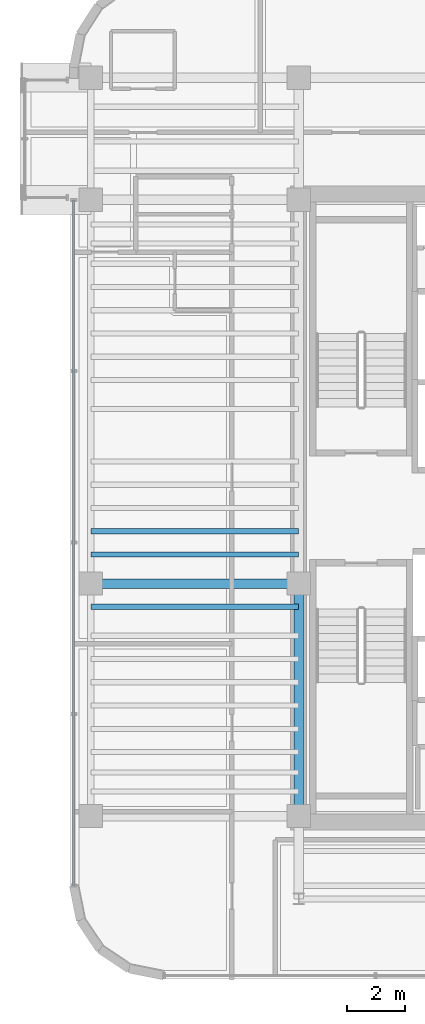
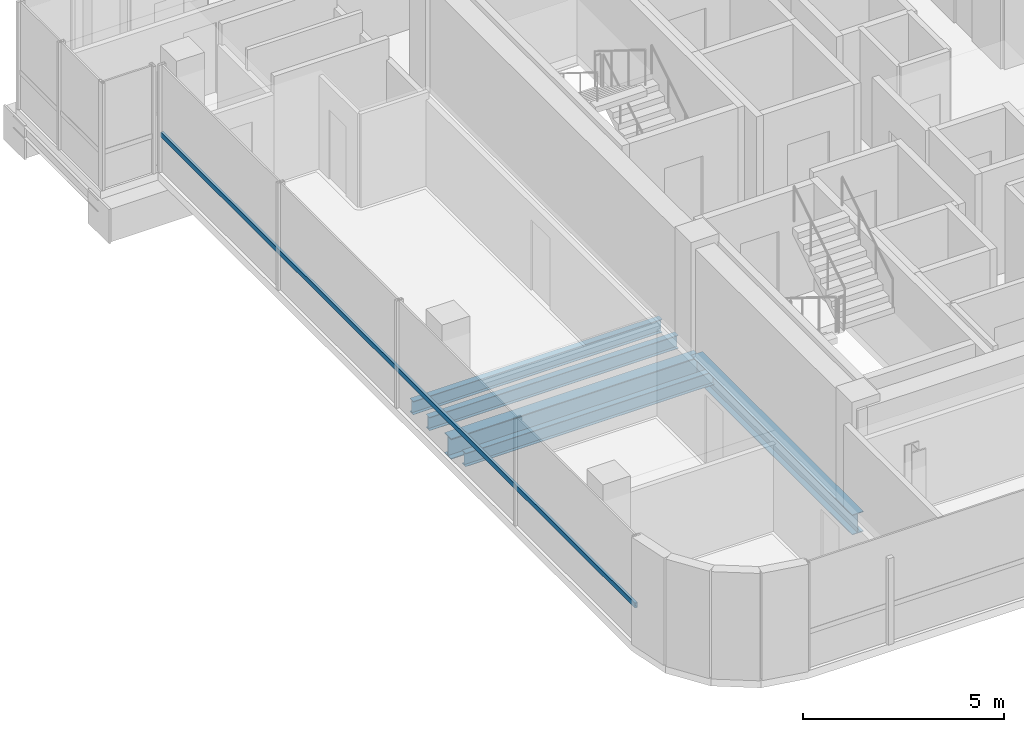
# One storey, part 5 of 20: 5 beams, 1 member, 1 element without a shape of its own.
"""IFC4 building model written with IfcOpenShell, lengths in metres."""

import ifcopenshell
import ifcopenshell.guid

model = None  # the IFC model being written
_history = None  # IfcOwnerHistory: only IFC2X3 demands one
_inside = {}  # id of a spatial element -> (the spatial element, [elements in it])
_under = {}  # id of a project, library or spatial element -> (it, [spatial elements below it])
_declared = {}  # id of a project -> (the project, [libraries it declares])
_typed = {}  # id of a type object -> (the type object, [elements of that type])
_made_of = {}  # id of a material, layer set ... -> (it, [elements and type objects made of it])


def new_model(schema):
    """Start an empty IFC model of exactly this schema.

    Asked for "IFC4X3", IfcOpenShell would pick the latest addendum, in which some entities
    have other attributes; the version numbers below select the first issue.
    IFC2X3 requires an IfcOwnerHistory on every rooted entity: one is made here for all.
    """
    global model, _history
    if schema == "IFC4X3":
        model = ifcopenshell.file(schema_version=(4, 3, 0, 0))
    else:
        model = ifcopenshell.file(schema=schema)
    _inside.clear()
    _under.clear()
    _declared.clear()
    _typed.clear()
    _made_of.clear()
    _history = None
    if model.schema == "IFC2X3":
        org = make("IfcOrganization", Name="unknown")
        user = make(
            "IfcPersonAndOrganization",
            ThePerson=make("IfcPerson", FamilyName="unknown"),
            TheOrganization=org,
        )
        app = make(
            "IfcApplication",
            ApplicationDeveloper=org,
            Version="unknown",
            ApplicationFullName="unknown",
            ApplicationIdentifier="unknown",
        )
        _history = make(
            "IfcOwnerHistory",
            OwningUser=user,
            OwningApplication=app,
            ChangeAction="ADDED",
            CreationDate=0,
        )
    return model


def make(cls, **values):
    """One entity of the class cls with the attributes given. An attribute that is None is left unset."""
    return model.create_entity(
        cls, **{name: value for name, value in values.items() if value is not None}
    )


def rooted(cls, **values):
    """An entity with a GlobalId (a new one), such as an element, a storey or a relation."""
    return make(cls, GlobalId=ifcopenshell.guid.new(), OwnerHistory=_history, **values)


def si_unit(unit_type, name, prefix=None):
    """IfcSIUnit, for example si_unit("LENGTHUNIT", "METRE", prefix="MILLI")."""
    return make("IfcSIUnit", UnitType=unit_type, Prefix=prefix, Name=name)


def assignment(units):
    """IfcUnitAssignment: the units of a project."""
    return None if units is None else make("IfcUnitAssignment", Units=units)


def point(xyz):
    """IfcCartesianPoint."""
    return None if xyz is None else make("IfcCartesianPoint", Coordinates=xyz)


def direction(xyz):
    """IfcDirection."""
    return None if xyz is None else make("IfcDirection", DirectionRatios=xyz)


def frame(location, z_axis=None, x_axis=None):
    """IfcAxis2Placement3D, a coordinate frame: its origin and axes. An axis left out is left unset."""
    return make(
        "IfcAxis2Placement3D",
        Location=point(location),
        Axis=direction(z_axis),
        RefDirection=direction(x_axis),
    )


def frame_2d(location, x_axis=None):
    """IfcAxis2Placement2D, a coordinate frame in the plane: its origin and x axis."""
    return make(
        "IfcAxis2Placement2D", Location=point(location), RefDirection=direction(x_axis)
    )


def origin():
    """The frame at (0, 0, 0) with its axes left unset."""
    return frame((0.0, 0.0, 0.0))


def origin_2d():
    """The frame at (0, 0) in the plane with its x axis left unset."""
    return frame_2d((0.0, 0.0))


def place(relative_to, where):
    """IfcLocalPlacement: puts the frame where relative to a parent placement (None: the world)."""
    return make(
        "IfcLocalPlacement", PlacementRelTo=relative_to, RelativePlacement=where
    )


def context(
    kind, dimensions, precision=None, world=None, true_north=None, identifier=None
):
    """IfcGeometricRepresentationContext, for example the 3D "Model" context."""
    return make(
        "IfcGeometricRepresentationContext",
        ContextIdentifier=identifier,
        ContextType=kind,
        CoordinateSpaceDimension=dimensions,
        Precision=precision,
        WorldCoordinateSystem=world,
        TrueNorth=true_north,
    )


def subcontext(parent, identifier, kind, view, scale=None):
    """IfcGeometricRepresentationSubContext, for example "Body" below "Model"."""
    return make(
        "IfcGeometricRepresentationSubContext",
        ContextIdentifier=identifier,
        ContextType=kind,
        ParentContext=parent,
        TargetScale=scale,
        TargetView=view,
    )


def project(units=None, contexts=None):
    """IfcProject with its units and contexts."""
    return rooted(
        "IfcProject",
        Name="project",
        RepresentationContexts=contexts,
        UnitsInContext=assignment(units),
    )


def spatial(cls, under=None, at=None, **own):
    """A site, building, storey or space (cls), placed at a placement, below another one or the project."""
    s = rooted(cls, ObjectPlacement=at, **own)
    if under is not None:
        _under.setdefault(under.id(), (under, []))[1].append(s)
    return s


def profile(cls, at=None, kind="AREA", **sizes):
    """A parametric profile (cls). Its sizes go by their IFC names, for example OverallWidth=200.0."""
    return make(cls, ProfileType=kind, Position=at, **sizes)


def hollow_rectangle(**sizes):
    """IfcRectangleHollowProfileDef."""
    return profile("IfcRectangleHollowProfileDef", **sizes)


def i_section(**sizes):
    """IfcIShapeProfileDef."""
    return profile("IfcIShapeProfileDef", **sizes)


def extrude(swept, where, along, depth):
    """IfcExtrudedAreaSolid: the profile swept, set in the frame where, extruded along a direction by depth."""
    return make(
        "IfcExtrudedAreaSolid",
        SweptArea=swept,
        Position=where,
        ExtrudedDirection=direction(along),
        Depth=depth,
    )


def shape(context_of_items, identifier, shape_type, items):
    """IfcShapeRepresentation: the items that make up one representation, for example the "Body"."""
    return make(
        "IfcShapeRepresentation",
        ContextOfItems=context_of_items,
        RepresentationIdentifier=identifier,
        RepresentationType=shape_type,
        Items=items,
    )


def source(mapping_origin, context_of_items, identifier, shape_type, items):
    """IfcRepresentationMap: a shape defined once, which mapped items show again and again."""
    return make(
        "IfcRepresentationMap",
        MappingOrigin=mapping_origin,
        MappedRepresentation=shape(context_of_items, identifier, shape_type, items),
    )


def transform(
    local_origin,
    x_axis=None,
    y_axis=None,
    z_axis=None,
    scale=None,
    scale2=None,
    scale3=None,
    uniform=True,
):
    """IfcCartesianTransformationOperator3D, or its non-uniform kind. x_axis, y_axis, z_axis: its Axis1, 2, 3."""
    if uniform:
        return make(
            "IfcCartesianTransformationOperator3D",
            Axis1=direction(x_axis),
            Axis2=direction(y_axis),
            LocalOrigin=point(local_origin),
            Scale=scale,
            Axis3=direction(z_axis),
        )
    return make(
        "IfcCartesianTransformationOperator3DnonUniform",
        Axis1=direction(x_axis),
        Axis2=direction(y_axis),
        LocalOrigin=point(local_origin),
        Scale=scale,
        Axis3=direction(z_axis),
        Scale2=scale2,
        Scale3=scale3,
    )


def mapped(mapping_source, mapping_target):
    """IfcMappedItem: shows the shape of a source again, moved by a transform."""
    return make(
        "IfcMappedItem", MappingSource=mapping_source, MappingTarget=mapping_target
    )


def material(Name=None, Category=None):
    """IfcMaterial."""
    return make("IfcMaterial", Name=Name, Category=Category)


def material_profile(
    of_material, cross_section, Name=None, Category=None, Priority=None
):
    """IfcMaterialProfile: a cross section and its material."""
    return make(
        "IfcMaterialProfile",
        Name=Name,
        Material=of_material,
        Profile=cross_section,
        Priority=Priority,
        Category=Category,
    )


def profile_set(profiles, Name=None, composite=None):
    """IfcMaterialProfileSet."""
    return make(
        "IfcMaterialProfileSet",
        Name=Name,
        MaterialProfiles=profiles,
        CompositeProfile=composite,
    )


def made_of(thing, what):
    """Note that an element or type object is made of a material, layer set ...; save() writes the relation."""
    if what is not None:
        _made_of.setdefault(what.id(), (what, []))[1].append(thing)
    return thing


def type_object(cls, material=None, **own):
    """A type object (cls), such as IfcWallType, which elements share."""
    return made_of(rooted(cls, **own), material)


def element(
    cls,
    number,
    at=None,
    inside=None,
    cuts=None,
    type_object=None,
    material=None,
    context=None,
    identifier="Body",
    shape_type=None,
    held_by="IfcProductDefinitionShape",
    body=None,
    shapes=None,
    **own,
):
    """One element of the class cls, such as IfcWall. Its Tag is "e" and its number.

    at: its placement. inside: the storey or other place that contains it. cuts: it is an
    opening in that element (IfcRelVoidsElement). A single representation is given by context,
    identifier, shape_type and body (its items); several are given by shapes. held_by: the class
    of the entity that holds the representations. save() writes the other relations.
    """
    e = rooted(cls, Tag="e%d" % number, ObjectPlacement=at, **own)
    if body is not None:
        shapes = [shape(context, identifier, shape_type, body)]
    if shapes is not None:
        e.Representation = make(held_by, Representations=shapes)
    if inside is not None:
        _inside.setdefault(inside.id(), (inside, []))[1].append(e)
    if cuts is not None:
        rooted(
            "IfcRelVoidsElement", RelatingBuildingElement=cuts, RelatedOpeningElement=e
        )
    if type_object is not None:
        _typed.setdefault(type_object.id(), (type_object, []))[1].append(e)
    return made_of(e, material)


def aggregate(whole, parts):
    """IfcRelAggregates: a whole, such as a stair, and the parts it consists of."""
    return rooted("IfcRelAggregates", RelatingObject=whole, RelatedObjects=parts)


def save(model, path):
    """Write the relations noted so far, then the file.

    IfcRelAggregates (storeys below a building ...), IfcRelContainedInSpatialStructure (elements
    in a storey), IfcRelDefinesByType, IfcRelAssociatesMaterial and IfcRelDeclares: one each for
    every whole, place, type object, material and project.
    """
    for whole, parts in _under.values():
        aggregate(whole, parts)
    for where, things in _inside.values():
        rooted(
            "IfcRelContainedInSpatialStructure",
            RelatedElements=things,
            RelatingStructure=where,
        )
    for kind, things in _typed.values():
        rooted("IfcRelDefinesByType", RelatedObjects=things, RelatingType=kind)
    for what, things in _made_of.values():
        rooted("IfcRelAssociatesMaterial", RelatedObjects=things, RelatingMaterial=what)
    for by, libraries in _declared.values():
        rooted("IfcRelDeclares", RelatingContext=by, RelatedDefinitions=libraries)
    model.write(path)


model = new_model("IFC4")

# Units and contexts
model_context = context("Model", 3, precision=1e-05, world=origin(), true_north=direction((0.0, 1.0)))
body_context = subcontext(model_context, "Body", "Model", "MODEL_VIEW")
ifc_project = project(units=[si_unit("LENGTHUNIT", "METRE"), si_unit("AREAUNIT", "SQUARE_METRE"), si_unit("VOLUMEUNIT", "CUBIC_METRE"), si_unit("PLANEANGLEUNIT", "RADIAN"), si_unit("MASSUNIT", "GRAM", prefix="KILO")], contexts=[model_context])

# Site, building, storey
site_placement = place(None, origin())
site = spatial("IfcSite", under=ifc_project, at=site_placement, CompositionType="ELEMENT")
building_placement = place(site_placement, origin())
building = spatial("IfcBuilding", under=site, at=building_placement, Name="Valdorenza Pilgrim Sanctuary Tower", CompositionType="ELEMENT")
storey_placement = place(building_placement, frame((0.0, 0.0, 283.5)))
storey = spatial("IfcBuildingStorey", under=building, at=storey_placement, Name="L74", CompositionType="ELEMENT", Elevation=283.5)

# Beams
ifc_material_1 = material(Name="Steel ASTM A992 Grade 50", Category="steel")
ifc_material_profile_1 = material_profile(ifc_material_1, i_section(OverallWidth=0.323974609375, OverallDepth=0.611083984375, WebThickness=0.0126953125, FlangeThickness=0.01904296875, at=origin_2d()), Name="W24X104")
ifc_profile_set_1 = profile_set([ifc_material_profile_1], Name="Steel ASTM A992 Grade 50")
beam_type_1 = type_object("IfcBeamType", Name="STR-BM-GRD-W24B", PredefinedType="BEAM", material=ifc_profile_set_1)
shared_shape_1 = source(origin(), body_context, "Body", "SweptSolid", [
    extrude(i_section(OverallWidth=0.323974609375, OverallDepth=0.611083984375, WebThickness=0.0126953125, FlangeThickness=0.01904296875, at=origin_2d()), origin(), (0.0, 0.0, 1.0), 8.0),
])
beam_1_placement = place(storey_placement, frame((-22.64990234375, -10.60009765625, -0.54541015625), z_axis=(0.0, 1.0, 0.0), x_axis=(-1.0, 0.0, 0.0)))
element("IfcBeam", 1, at=beam_1_placement, inside=storey, type_object=beam_type_1, Name="L74 Core Tie Girder CA-W-S1M0", PredefinedType="BEAM", context=body_context, shape_type="MappedRepresentation", body=[
    mapped(shared_shape_1, transform((0.0, 0.0, 0.0), x_axis=(1.0, 0.0, 0.0), y_axis=(0.0, 1.0, 0.0), z_axis=(0.0, 0.0, 1.0), scale=1.0)),
])
ifc_material_profile_2 = material_profile(ifc_material_1, i_section(OverallWidth=0.177978515625, OverallDepth=0.406005859375, WebThickness=0.0078125, FlangeThickness=0.0126953125, at=origin_2d()), Name="W16X40")
ifc_profile_set_2 = profile_set([ifc_material_profile_2], Name="Steel ASTM A992 Grade 50")
beam_type_2 = type_object("IfcBeamType", Name="STR-BM-JST-W16", PredefinedType="JOIST", material=ifc_profile_set_2)
shared_shape_2 = source(origin(), body_context, "Body", "SweptSolid", [
    extrude(i_section(OverallWidth=0.177978515625, OverallDepth=0.406005859375, WebThickness=0.0078125, FlangeThickness=0.0126953125, at=origin_2d()), origin(), (0.0, 0.0, 1.0), 7.150146484375),
])
for number, where, z_axis, x_axis, name in (
    (2, (-29.800048828125, -3.39990234375, -0.443115234375), (1.0, 0.0, 0.0), (0.0, 1.0, 0.0), "L74 Composite Floor Joist JST-WA-9"),
    (3, (-29.800048828125, -1.60009765625, -0.443115234375), (1.0, 0.0, 0.0), (0.0, 1.0, 0.0), "L74 Composite Floor Joist JST-WA-10"),
    (4, (-29.800048828125, -0.800048828125, -0.443115234375), (1.0, 0.0, 0.0), (0.0, 1.0, 0.0), "L74 Composite Floor Joist JST-WA-11"),
):
    element("IfcBeam", number, at=place(storey_placement, frame(where, z_axis=z_axis, x_axis=x_axis)), inside=storey, type_object=beam_type_2, Name=name, PredefinedType="JOIST", context=body_context, shape_type="MappedRepresentation", body=[
        mapped(shared_shape_2, transform((0.0, 0.0, 0.0), x_axis=(1.0, 0.0, 0.0), y_axis=(0.0, 1.0, 0.0), z_axis=(0.0, 0.0, 1.0), scale=1.0)),
    ])
ifc_material_profile_3 = material_profile(ifc_material_1, i_section(OverallWidth=0.326904296875, OverallDepth=0.6220703125, WebThickness=0.015380859375, FlangeThickness=0.0244140625, at=origin_2d()), Name="W24X131")
ifc_profile_set_3 = profile_set([ifc_material_profile_3], Name="Steel ASTM A992 Grade 50")
beam_type_3 = type_object("IfcBeamType", Name="STR-BM-GRD-W24A", PredefinedType="BEAM", material=ifc_profile_set_3)
shared_shape_3 = source(origin(), body_context, "Body", "SweptSolid", [
    extrude(i_section(OverallWidth=0.326904296875, OverallDepth=0.6220703125, WebThickness=0.015380859375, FlangeThickness=0.0244140625, at=origin_2d()), origin(), (0.0, 0.0, 1.0), 7.150146484375),
])
beam_2_placement = place(storey_placement, frame((-29.800048828125, -2.60009765625, -0.551025390625), z_axis=(1.0, 0.0, 0.0), x_axis=(0.0, 1.0, 0.0)))
element("IfcBeam", 5, at=beam_2_placement, inside=storey, type_object=beam_type_3, Name="L74 Floor Girder WA-XW-M0", PredefinedType="BEAM", context=body_context, shape_type="MappedRepresentation", body=[
    mapped(shared_shape_3, transform((0.0, 0.0, 0.0), x_axis=(1.0, 0.0, 0.0), y_axis=(0.0, 1.0, 0.0), z_axis=(0.0, 0.0, 1.0), scale=1.0)),
])

# Curtain wall, member
ifc_material_2 = material(Name="Curtain-wall IGU glazing", Category="glass")
curtain_wall_type = type_object("IfcCurtainWallType", Name="CW-SYS-02", PredefinedType="NOTDEFINED", material=ifc_material_2)
curtain_wall_placement = place(storey_placement, origin())
curtain_wall = element("IfcCurtainWall", 6, at=curtain_wall_placement, inside=storey, type_object=curtain_wall_type, Name="L74 Curtain Wall CW-L74-1-1S1", PredefinedType="NOTDEFINED")
ifc_material_3 = material(Name="Anodised aluminium AW-6060", Category="aluminium")
ifc_material_profile_4 = material_profile(ifc_material_3, hollow_rectangle(XDim=0.074951171875, YDim=0.14990234375, WallThickness=0.00390625, at=origin_2d()), Name="ALU-T 150x75x4")
ifc_profile_set_4 = profile_set([ifc_material_profile_4], Name="Anodised aluminium AW-6060")
member_type = type_object("IfcMemberType", Name="CW-TRN-02", PredefinedType="USERDEFINED", material=ifc_profile_set_4)
shared_shape_4 = source(origin(), body_context, "Body", "SweptSolid", [
    extrude(hollow_rectangle(XDim=0.074951171875, YDim=0.14990234375, WallThickness=0.00390625, at=origin_2d()), origin(), (0.0, 0.0, 1.0), 23.58935546875),
])
member_placement = place(storey_placement, frame((-30.389892578125, -12.9892578125, 1.1201171875), z_axis=(0.0, 1.0, 0.0), x_axis=(-1.0, 0.0, 0.0)))
member = element("IfcMember", 7, at=member_placement, type_object=member_type, Name="CW-L74-1-1S1 Transom 1", ObjectType="TRANSOM", PredefinedType="USERDEFINED", context=body_context, shape_type="MappedRepresentation", body=[
    mapped(shared_shape_4, transform((0.0, 0.0, 0.0), x_axis=(1.0, 0.0, 0.0), y_axis=(0.0, 1.0, 0.0), z_axis=(0.0, 0.0, 1.0), scale=1.0)),
])
aggregate(curtain_wall, [member])

save(model, "model.ifc")
